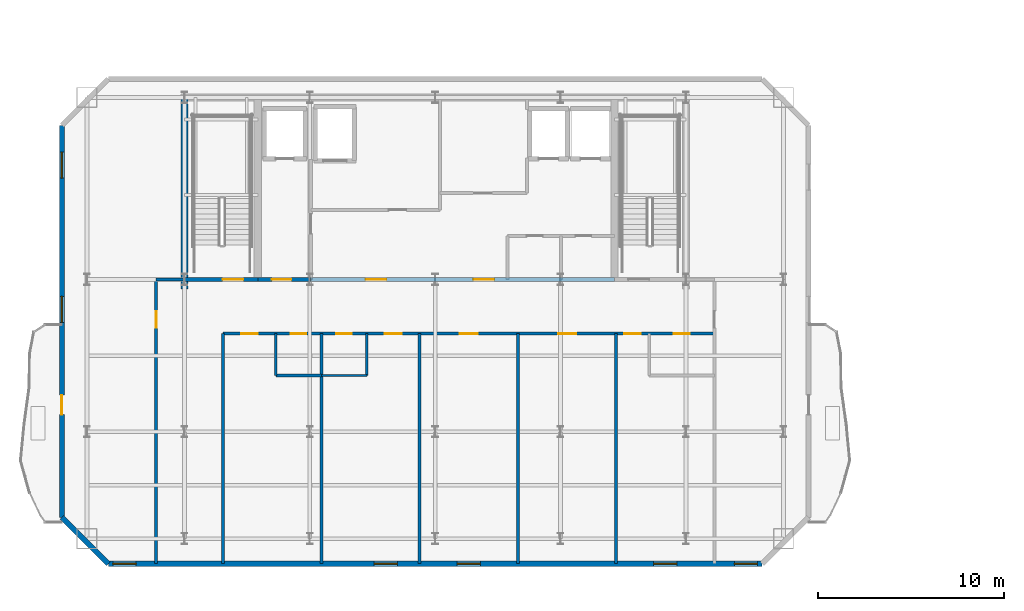
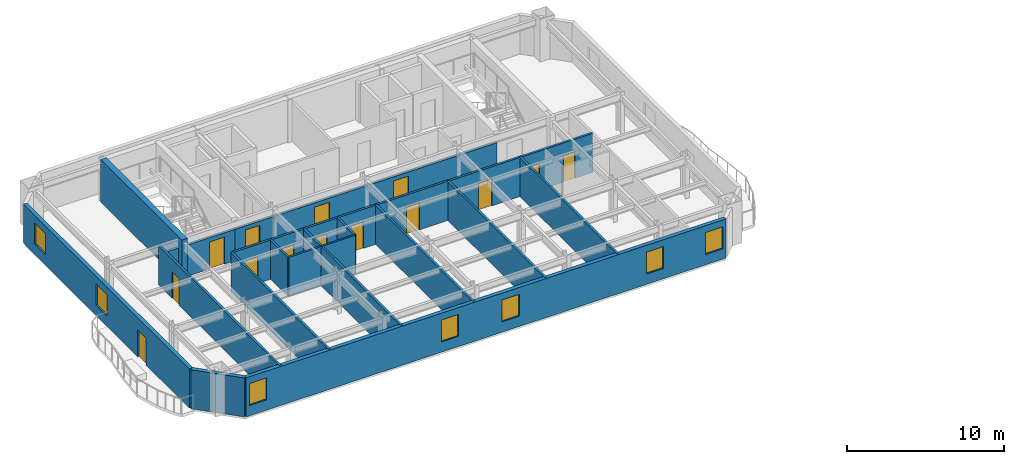
# One storey, part 6 of 14: 19 walls, 14 doors, 7 windows, 21 openings.
"""IFC4 building model written with IfcOpenShell, lengths in metres."""

from ifc_helpers import new_model, si_unit, direction, frame, frame_2d, origin, place, context, subcontext, project, spatial, rectangle, extrude, material, layer, layer_set, type_object, element, fill, save


model = new_model("IFC4")

# Units and contexts
model_context = context("Model", 3, precision=1e-05, world=origin(), true_north=direction((0.0, 1.0)))
body_context = subcontext(model_context, "Body", "Model", "MODEL_VIEW")
ifc_project = project(units=[si_unit("LENGTHUNIT", "METRE"), si_unit("AREAUNIT", "SQUARE_METRE"), si_unit("VOLUMEUNIT", "CUBIC_METRE"), si_unit("PLANEANGLEUNIT", "RADIAN"), si_unit("MASSUNIT", "GRAM", prefix="KILO")], contexts=[model_context])

# Site, building, storey
site_placement = place(None, origin())
site = spatial("IfcSite", under=ifc_project, at=site_placement, CompositionType="ELEMENT")
building_placement = place(site_placement, origin())
building = spatial("IfcBuilding", under=site, at=building_placement, Name="Haevon Station Towers", CompositionType="ELEMENT")
storey_placement = place(building_placement, frame((0.0, 0.0, 231.89990234375)))
storey = spatial("IfcBuildingStorey", under=building, at=storey_placement, Name="L64", CompositionType="ELEMENT", Elevation=231.89990234375)

# Wall, opening, door
ifc_material_1 = material(Name="Gypsum board on steel stud", Category="steel")
ifc_layer_1 = layer(ifc_material_1, 0.199951171875)
ifc_layer_set_1 = layer_set([ifc_layer_1], Name="Gypsum board on steel stud")
wall_type_1 = type_object("IfcWallType", Name="WL-COR200", PredefinedType="PARTITIONING", material=ifc_layer_set_1)
wall_1_placement = place(storey_placement, frame((24.0, 38.199951171875, 0.0), z_axis=(0.0, 0.0, 1.0), x_axis=(1.0, 0.0, 0.0)))
wall_1 = element("IfcWall", 1, at=wall_1_placement, inside=storey, type_object=wall_type_1, Name="WL-ST-ST1-L64", PredefinedType="PARTITIONING", context=body_context, shape_type="SweptSolid", body=[
    extrude(rectangle(XDim=3.949951171875, YDim=0.199951171875, at=frame_2d((1.97509765625, 0.0))), origin(), (0.0, 0.0, 1.0), 2.43017578125),
])
opening_1_placement = place(wall_1_placement, frame((2.050048828125, 0.0, 0.0)))
opening_1 = element("IfcOpeningElement", 2, at=opening_1_placement, cuts=wall_1, Name="Opening DR-ST-ST1-L64", PredefinedType="OPENING", context=body_context, shape_type="SweptSolid", body=[
    extrude(rectangle(XDim=1.1201171875, YDim=2.10009765625, at=frame_2d((0.56005859375, 1.050048828125))), frame((0.0, 0.10986328125, 0.0), z_axis=(0.0, -1.0, 0.0), x_axis=(1.0, 0.0, 0.0)), (0.0, 0.0, 1.0), 0.219970703125),
])
ifc_material_2 = material(Name="Engineered oak timber", Category="wood")
door_type_1 = type_object("IfcDoorType", Name="DR-ST-1120", OperationType="NOTDEFINED", PredefinedType="DOOR", material=ifc_material_2)
door_1_placement = place(opening_1_placement, origin())
door_1 = element("IfcDoor", 3, at=door_1_placement, inside=storey, type_object=door_type_1, Name="L64 Escape Stair ST1 Fire Door", OperationType="SINGLE_SWING_RIGHT", OverallHeight=2.10009765625, OverallWidth=1.1201171875, PredefinedType="DOOR", context=body_context, shape_type="SweptSolid", body=[
    extrude(rectangle(XDim=1.1201171875, YDim=2.10009765625, at=frame_2d((0.56005859375, 1.050048828125))), frame((0.0, 0.02490234375, 0.0), z_axis=(0.0, -1.0, 0.0), x_axis=(1.0, 0.0, 0.0)), (0.0, 0.0, 1.0), 0.050048828125),
])
fill(opening_1, door_1)

wall_2_placement = place(storey_placement, frame((27.949951171875, 38.199951171875, 0.0), z_axis=(0.0, 0.0, 1.0), x_axis=(1.0, 0.0, 0.0)))
wall_2 = element("IfcWall", 4, at=wall_2_placement, inside=storey, type_object=wall_type_1, Name="WL-T1FFL-L64-S", PredefinedType="PARTITIONING", context=body_context, shape_type="SweptSolid", body=[
    extrude(rectangle(XDim=2.85009765625, YDim=0.199951171875, at=frame_2d((1.425048828125, 0.0))), origin(), (0.0, 0.0, 1.0), 2.43017578125),
])
opening_2_placement = place(wall_2_placement, frame((0.75, 0.0, 0.0)))
opening_2 = element("IfcOpeningElement", 5, at=opening_2_placement, cuts=wall_2, Name="Opening DR-T1FFL-L64-S", PredefinedType="OPENING", context=body_context, shape_type="SweptSolid", body=[
    extrude(rectangle(XDim=1.050048828125, YDim=2.10009765625, at=frame_2d((0.52490234375, 1.050048828125))), frame((0.0, 0.10986328125, 0.0), z_axis=(0.0, -1.0, 0.0), x_axis=(1.0, 0.0, 0.0)), (0.0, 0.0, 1.0), 0.219970703125),
])
door_type_2 = type_object("IfcDoorType", Name="DR-FD60-1050", OperationType="NOTDEFINED", PredefinedType="DOOR", material=ifc_material_2)
door_2_placement = place(opening_2_placement, origin())
door_2 = element("IfcDoor", 6, at=door_2_placement, inside=storey, type_object=door_type_2, Name="L64 Tower 1 Firefighting Lift Lobby Door S", OperationType="SINGLE_SWING_LEFT", OverallHeight=2.10009765625, OverallWidth=1.050048828125, PredefinedType="DOOR", context=body_context, shape_type="SweptSolid", body=[
    extrude(rectangle(XDim=1.050048828125, YDim=2.10009765625, at=frame_2d((0.52490234375, 1.050048828125))), frame((0.0, 0.02490234375, 0.0), z_axis=(0.0, -1.0, 0.0), x_axis=(1.0, 0.0, 0.0)), (0.0, 0.0, 1.0), 0.050048828125),
])
fill(opening_2, door_2)

# Wall, openings, doors
wall_3_placement = place(storey_placement, frame((30.800048828125, 38.199951171875, 0.0), z_axis=(0.0, 0.0, 1.0), x_axis=(1.0, 0.0, 0.0)))
wall_3 = element("IfcWall", 7, at=wall_3_placement, inside=storey, type_object=wall_type_1, Name="WL-T1CLB-L64", PredefinedType="PARTITIONING", context=body_context, shape_type="SweptSolid", body=[
    extrude(rectangle(XDim=16.349853515625, YDim=0.199951171875, at=frame_2d((8.1748046875, 0.0))), origin(), (0.0, 0.0, 1.0), 2.43017578125),
])
opening_3_placement = place(wall_3_placement, frame((2.949951171875, 0.0, 0.0)))
opening_3 = element("IfcOpeningElement", 8, at=opening_3_placement, cuts=wall_3, Name="Opening DR-T1CLB-L64-1", PredefinedType="OPENING", context=body_context, shape_type="SweptSolid", body=[
    extrude(rectangle(XDim=1.1201171875, YDim=2.10009765625, at=frame_2d((0.56005859375, 1.050048828125))), frame((0.0, 0.10986328125, 0.0), z_axis=(0.0, -1.0, 0.0), x_axis=(1.0, 0.0, 0.0)), (0.0, 0.0, 1.0), 0.219970703125),
])
opening_4_placement = place(wall_3_placement, frame((8.75, 0.0, 0.0)))
opening_4 = element("IfcOpeningElement", 9, at=opening_4_placement, cuts=wall_3, Name="Opening DR-T1CLB-L64-2", PredefinedType="OPENING", context=body_context, shape_type="SweptSolid", body=[
    extrude(rectangle(XDim=1.1201171875, YDim=2.10009765625, at=frame_2d((0.56005859375, 1.050048828125))), frame((0.0, 0.10986328125, 0.0), z_axis=(0.0, -1.0, 0.0), x_axis=(1.0, 0.0, 0.0)), (0.0, 0.0, 1.0), 0.219970703125),
])
door_3_placement = place(opening_3_placement, origin())
door_3 = element("IfcDoor", 10, at=door_3_placement, inside=storey, type_object=door_type_1, Name="L64 Tower 1 Core Lift Lobby Door 1", OperationType="SINGLE_SWING_RIGHT", OverallHeight=2.10009765625, OverallWidth=1.1201171875, PredefinedType="DOOR", context=body_context, shape_type="SweptSolid", body=[
    extrude(rectangle(XDim=1.1201171875, YDim=2.10009765625, at=frame_2d((0.56005859375, 1.050048828125))), frame((0.0, 0.02490234375, 0.0), z_axis=(0.0, -1.0, 0.0), x_axis=(1.0, 0.0, 0.0)), (0.0, 0.0, 1.0), 0.050048828125),
])
fill(opening_3, door_3)
door_4_placement = place(opening_4_placement, origin())
door_4 = element("IfcDoor", 11, at=door_4_placement, inside=storey, type_object=door_type_1, Name="L64 Tower 1 Core Lift Lobby Door 2", OperationType="SINGLE_SWING_LEFT", OverallHeight=2.10009765625, OverallWidth=1.1201171875, PredefinedType="DOOR", context=body_context, shape_type="SweptSolid", body=[
    extrude(rectangle(XDim=1.1201171875, YDim=2.10009765625, at=frame_2d((0.56005859375, 1.050048828125))), frame((0.0, 0.02490234375, 0.0), z_axis=(0.0, -1.0, 0.0), x_axis=(1.0, 0.0, 0.0)), (0.0, 0.0, 1.0), 0.050048828125),
])
fill(opening_4, door_4)

# Wall
ifc_material_3 = material(Name="Concrete C60/75", Category="concrete")
ifc_layer_2 = layer(ifc_material_3, 0.39990234375)
ifc_layer_set_2 = layer_set([ifc_layer_2], Name="Concrete C60/75")
wall_type_2 = type_object("IfcWallType", Name="WL-CR400", PredefinedType="SHEAR", material=ifc_layer_set_2)
wall_4_placement = place(storey_placement, frame((24.0, 37.679931640625, 0.0), z_axis=(0.0, 0.0, 1.0), x_axis=(0.0, 1.0, 0.0)))
element("IfcWall", 12, at=wall_4_placement, inside=storey, type_object=wall_type_2, Name="WL-T1CR-L64-W", PredefinedType="SHEAR", context=body_context, shape_type="SweptSolid", body=[
    extrude(rectangle(XDim=10.320068359375, YDim=0.39990234375, at=frame_2d((5.16015625, 0.0))), origin(), (0.0, 0.0, 1.0), 3.300048828125),
])

# Wall, openings, windows
ifc_material_4 = material(Name="Precast concrete C45/55", Category="concrete")
ifc_layer_3 = layer(ifc_material_4, 0.280029296875)
ifc_layer_set_3 = layer_set([ifc_layer_3], Name="Precast concrete C45/55")
wall_type_3 = type_object("IfcWallType", Name="WL-EXT-PIER280", PredefinedType="SOLIDWALL", material=ifc_layer_set_3)
wall_5_placement = place(storey_placement, frame((55.10009765625, 22.89990234375, 0.0), z_axis=(0.0, 0.0, 1.0), x_axis=(-1.0, 0.0, 0.0)))
wall_5 = element("IfcWall", 13, at=wall_5_placement, inside=storey, type_object=wall_type_3, Name="WL-T1-L64-S", PredefinedType="SOLIDWALL", context=body_context, shape_type="SweptSolid", body=[
    extrude(rectangle(XDim=35.2001953125, YDim=0.280029296875, at=frame_2d((17.60009765625, 0.0))), origin(), (0.0, 0.0, 1.0), 3.030029296875),
])
opening_5_placement = place(wall_5_placement, frame((33.699951171875, 0.0, 0.800048828125)))
opening_5 = element("IfcOpeningElement", 14, at=opening_5_placement, cuts=wall_5, Name="Opening WN-P125", PredefinedType="OPENING", context=body_context, shape_type="SweptSolid", body=[
    extrude(rectangle(XDim=1.25, YDim=1.699951171875, at=frame_2d((0.625, 0.85009765625))), frame((0.0, 0.14990234375, 0.0), z_axis=(0.0, -1.0, 0.0), x_axis=(1.0, 0.0, 0.0)), (0.0, 0.0, 1.0), 0.300048828125),
])
opening_6_placement = place(wall_5_placement, frame((0.25, 0.0, 0.800048828125)))
opening_6 = element("IfcOpeningElement", 15, at=opening_6_placement, cuts=wall_5, Name="Opening WN-P125", PredefinedType="OPENING", context=body_context, shape_type="SweptSolid", body=[
    extrude(rectangle(XDim=1.25, YDim=1.699951171875, at=frame_2d((0.625, 0.85009765625))), frame((0.0, 0.14990234375, 0.0), z_axis=(0.0, -1.0, 0.0), x_axis=(1.0, 0.0, 0.0)), (0.0, 0.0, 1.0), 0.300048828125),
])
opening_7_placement = place(wall_5_placement, frame((19.6416015625, 0.0, 0.800048828125)))
opening_7 = element("IfcOpeningElement", 16, at=opening_7_placement, cuts=wall_5, Name="Opening WN-P125", PredefinedType="OPENING", context=body_context, shape_type="SweptSolid", body=[
    extrude(rectangle(XDim=1.25, YDim=1.699951171875, at=frame_2d((0.625, 0.85009765625))), frame((0.0, 0.14990234375, 0.0), z_axis=(0.0, -1.0, 0.0), x_axis=(1.0, 0.0, 0.0)), (0.0, 0.0, 1.0), 0.300048828125),
])
opening_8_placement = place(wall_5_placement, frame((15.172607421875, 0.0, 0.800048828125)))
opening_8 = element("IfcOpeningElement", 17, at=opening_8_placement, cuts=wall_5, Name="Opening WN-P125", PredefinedType="OPENING", context=body_context, shape_type="SweptSolid", body=[
    extrude(rectangle(XDim=1.25, YDim=1.699951171875, at=frame_2d((0.625, 0.85009765625))), frame((0.0, 0.14990234375, 0.0), z_axis=(0.0, -1.0, 0.0), x_axis=(1.0, 0.0, 0.0)), (0.0, 0.0, 1.0), 0.300048828125),
])
opening_9_placement = place(wall_5_placement, frame((4.594482421875, 0.0, 0.800048828125)))
opening_9 = element("IfcOpeningElement", 18, at=opening_9_placement, cuts=wall_5, Name="Opening WN-P125", PredefinedType="OPENING", context=body_context, shape_type="SweptSolid", body=[
    extrude(rectangle(XDim=1.25, YDim=1.699951171875, at=frame_2d((0.625, 0.85009765625))), frame((0.0, 0.14990234375, 0.0), z_axis=(0.0, -1.0, 0.0), x_axis=(1.0, 0.0, 0.0)), (0.0, 0.0, 1.0), 0.300048828125),
])
ifc_material_5 = material(Name="Low-E triple glazing in thermally broken aluminium", Category="aluminium")
window_type_1 = type_object("IfcWindowType", Name="WN-P125", PartitioningType="SINGLE_PANEL", PredefinedType="WINDOW", material=ifc_material_5)
window_1_placement = place(opening_5_placement, origin())
window_1 = element("IfcWindow", 19, at=window_1_placement, inside=storey, type_object=window_type_1, Name="WN-T1-L64-S01", OverallHeight=1.699951171875, OverallWidth=1.25, PartitioningType="SINGLE_PANEL", PredefinedType="WINDOW", context=body_context, shape_type="SweptSolid", body=[
    extrude(rectangle(XDim=1.25, YDim=1.699951171875, at=frame_2d((0.625, 0.85009765625))), frame((0.0, 0.030029296875, 0.0), z_axis=(0.0, -1.0, 0.0), x_axis=(1.0, 0.0, 0.0)), (0.0, 0.0, 1.0), 0.06005859375),
])
fill(opening_5, window_1)
window_2_placement = place(opening_6_placement, origin())
window_2 = element("IfcWindow", 20, at=window_2_placement, inside=storey, type_object=window_type_1, Name="WN-T1-L64-S02", OverallHeight=1.699951171875, OverallWidth=1.25, PartitioningType="SINGLE_PANEL", PredefinedType="WINDOW", context=body_context, shape_type="SweptSolid", body=[
    extrude(rectangle(XDim=1.25, YDim=1.699951171875, at=frame_2d((0.625, 0.85009765625))), frame((0.0, 0.030029296875, 0.0), z_axis=(0.0, -1.0, 0.0), x_axis=(1.0, 0.0, 0.0)), (0.0, 0.0, 1.0), 0.06005859375),
])
fill(opening_6, window_2)
window_3_placement = place(opening_7_placement, origin())
window_3 = element("IfcWindow", 21, at=window_3_placement, inside=storey, type_object=window_type_1, Name="WN-T1-L64-S03", OverallHeight=1.699951171875, OverallWidth=1.25, PartitioningType="SINGLE_PANEL", PredefinedType="WINDOW", context=body_context, shape_type="SweptSolid", body=[
    extrude(rectangle(XDim=1.25, YDim=1.699951171875, at=frame_2d((0.625, 0.85009765625))), frame((0.0, 0.030029296875, 0.0), z_axis=(0.0, -1.0, 0.0), x_axis=(1.0, 0.0, 0.0)), (0.0, 0.0, 1.0), 0.06005859375),
])
fill(opening_7, window_3)
window_4_placement = place(opening_8_placement, origin())
window_4 = element("IfcWindow", 22, at=window_4_placement, inside=storey, type_object=window_type_1, Name="WN-T1-L64-S04", OverallHeight=1.699951171875, OverallWidth=1.25, PartitioningType="SINGLE_PANEL", PredefinedType="WINDOW", context=body_context, shape_type="SweptSolid", body=[
    extrude(rectangle(XDim=1.25, YDim=1.699951171875, at=frame_2d((0.625, 0.85009765625))), frame((0.0, 0.030029296875, 0.0), z_axis=(0.0, -1.0, 0.0), x_axis=(1.0, 0.0, 0.0)), (0.0, 0.0, 1.0), 0.06005859375),
])
fill(opening_8, window_4)
window_5_placement = place(opening_9_placement, origin())
window_5 = element("IfcWindow", 23, at=window_5_placement, inside=storey, type_object=window_type_1, Name="WN-T1-L64-S05", OverallHeight=1.699951171875, OverallWidth=1.25, PartitioningType="SINGLE_PANEL", PredefinedType="WINDOW", context=body_context, shape_type="SweptSolid", body=[
    extrude(rectangle(XDim=1.25, YDim=1.699951171875, at=frame_2d((0.625, 0.85009765625))), frame((0.0, 0.030029296875, 0.0), z_axis=(0.0, -1.0, 0.0), x_axis=(1.0, 0.0, 0.0)), (0.0, 0.0, 1.0), 0.06005859375),
])
fill(opening_9, window_5)

# Wall
wall_6_placement = place(storey_placement, frame((19.89990234375, 22.89990234375, 0.0), z_axis=(0.0, 0.0, 1.0), x_axis=(-0.707106781187, 0.707106781187, 0.0)))
element("IfcWall", 24, at=wall_6_placement, inside=storey, type_object=wall_type_3, Name="WL-T1-L64-SWC", PredefinedType="SOLIDWALL", context=body_context, shape_type="SweptSolid", body=[
    extrude(rectangle(XDim=3.53564453125, YDim=0.280029296875, at=frame_2d((1.767822265625, 0.0))), origin(), (0.0, 0.0, 1.0), 3.030029296875),
])

# Wall, openings, door, windows
wall_7_placement = place(storey_placement, frame((17.39990234375, 25.39990234375, 0.0), z_axis=(0.0, 0.0, 1.0), x_axis=(0.0, 1.0, 0.0)))
wall_7 = element("IfcWall", 25, at=wall_7_placement, inside=storey, type_object=wall_type_3, Name="WL-T1-L64-W", PredefinedType="SOLIDWALL", context=body_context, shape_type="SweptSolid", body=[
    extrude(rectangle(XDim=21.10009765625, YDim=0.280029296875, at=frame_2d((10.550048828125, 0.0))), origin(), (0.0, 0.0, 1.0), 3.030029296875),
])
opening_10_placement = place(wall_7_placement, frame((5.52490234375, 0.0, 0.0)))
opening_10 = element("IfcOpeningElement", 26, at=opening_10_placement, cuts=wall_7, Name="Opening DR-T1-SCAL-L64-W", PredefinedType="OPENING", context=body_context, shape_type="SweptSolid", body=[
    extrude(rectangle(XDim=1.050048828125, YDim=2.10009765625, at=frame_2d((0.52490234375, 1.050048828125))), frame((0.0, 0.14990234375, 0.0), z_axis=(0.0, -1.0, 0.0), x_axis=(1.0, 0.0, 0.0)), (0.0, 0.0, 1.0), 0.300048828125),
])
opening_11_placement = place(wall_7_placement, frame((10.496337890625, 0.0, 0.800048828125)))
opening_11 = element("IfcOpeningElement", 27, at=opening_11_placement, cuts=wall_7, Name="Opening WN-END140", PredefinedType="OPENING", context=body_context, shape_type="SweptSolid", body=[
    extrude(rectangle(XDim=1.39990234375, YDim=1.64990234375, at=frame_2d((0.699951171875, 0.824951171875))), frame((0.0, 0.14990234375, 0.0), z_axis=(0.0, -1.0, 0.0), x_axis=(1.0, 0.0, 0.0)), (0.0, 0.0, 1.0), 0.300048828125),
])
opening_12_placement = place(wall_7_placement, frame((18.253662109375, 0.0, 0.800048828125)))
opening_12 = element("IfcOpeningElement", 28, at=opening_12_placement, cuts=wall_7, Name="Opening WN-END140", PredefinedType="OPENING", context=body_context, shape_type="SweptSolid", body=[
    extrude(rectangle(XDim=1.39990234375, YDim=1.64990234375, at=frame_2d((0.699951171875, 0.824951171875))), frame((0.0, 0.14990234375, 0.0), z_axis=(0.0, -1.0, 0.0), x_axis=(1.0, 0.0, 0.0)), (0.0, 0.0, 1.0), 0.300048828125),
])
ifc_material_6 = material(Name="Thermally broken anodised aluminium and laminated safety glass", Category="aluminium")
door_type_3 = type_object("IfcDoorType", Name="DR-BALC-1050", OperationType="NOTDEFINED", PredefinedType="DOOR", material=ifc_material_6)
door_5_placement = place(opening_10_placement, origin())
door_5 = element("IfcDoor", 29, at=door_5_placement, inside=storey, type_object=door_type_3, Name="Tower 1 L64 West Scalloped Balcony Door", OperationType="SINGLE_SWING_RIGHT", OverallHeight=2.10009765625, OverallWidth=1.050048828125, PredefinedType="DOOR", context=body_context, shape_type="SweptSolid", body=[
    extrude(rectangle(XDim=1.050048828125, YDim=2.10009765625, at=frame_2d((0.52490234375, 1.050048828125))), frame((0.0, 0.02490234375, 0.0), z_axis=(0.0, -1.0, 0.0), x_axis=(1.0, 0.0, 0.0)), (0.0, 0.0, 1.0), 0.050048828125),
])
fill(opening_10, door_5)
window_type_2 = type_object("IfcWindowType", Name="WN-END140", PartitioningType="SINGLE_PANEL", PredefinedType="WINDOW", material=ifc_material_5)
window_6_placement = place(opening_11_placement, origin())
window_6 = element("IfcWindow", 30, at=window_6_placement, inside=storey, type_object=window_type_2, Name="WN-T1-L64-W01", OverallHeight=1.64990234375, OverallWidth=1.39990234375, PartitioningType="SINGLE_PANEL", PredefinedType="WINDOW", context=body_context, shape_type="SweptSolid", body=[
    extrude(rectangle(XDim=1.39990234375, YDim=1.64990234375, at=frame_2d((0.699951171875, 0.824951171875))), frame((0.0, 0.030029296875, 0.0), z_axis=(0.0, -1.0, 0.0), x_axis=(1.0, 0.0, 0.0)), (0.0, 0.0, 1.0), 0.06005859375),
])
fill(opening_11, window_6)
window_7_placement = place(opening_12_placement, origin())
window_7 = element("IfcWindow", 31, at=window_7_placement, inside=storey, type_object=window_type_2, Name="WN-T1-L64-W02", OverallHeight=1.64990234375, OverallWidth=1.39990234375, PartitioningType="SINGLE_PANEL", PredefinedType="WINDOW", context=body_context, shape_type="SweptSolid", body=[
    extrude(rectangle(XDim=1.39990234375, YDim=1.64990234375, at=frame_2d((0.699951171875, 0.824951171875))), frame((0.0, 0.030029296875, 0.0), z_axis=(0.0, -1.0, 0.0), x_axis=(1.0, 0.0, 0.0)), (0.0, 0.0, 1.0), 0.06005859375),
])
fill(opening_12, window_7)

# Walls
ifc_layer_4 = layer(ifc_material_1, 0.125)
ifc_layer_set_4 = layer_set([ifc_layer_4], Name="Gypsum board on steel stud")
wall_type_4 = type_object("IfcWallType", Name="WL-PRT125", PredefinedType="PARTITIONING", material=ifc_layer_set_4)
wall_8_placement = place(storey_placement, frame((28.9189453125, 33.030029296875, 0.0), z_axis=(0.0, 0.0, 1.0), x_axis=(0.0, 1.0, 0.0)))
element("IfcWall", 32, at=wall_8_placement, inside=storey, type_object=wall_type_4, Name="WL-T1PT-L64-07", PredefinedType="PARTITIONING", context=body_context, shape_type="SweptSolid", body=[
    extrude(rectangle(XDim=2.25, YDim=0.125, at=frame_2d((1.125, 0.0))), origin(), (0.0, 0.0, 1.0), 3.030029296875),
])
wall_9_placement = place(storey_placement, frame((31.368896484375, 33.030029296875, 0.0), z_axis=(0.0, 0.0, 1.0), x_axis=(1.0, 0.0, 0.0)))
element("IfcWall", 33, at=wall_9_placement, inside=storey, type_object=wall_type_4, Name="WL-T1PT-L64-09", PredefinedType="PARTITIONING", context=body_context, shape_type="SweptSolid", body=[
    extrude(rectangle(XDim=2.4501953125, YDim=0.125, at=frame_2d((1.22509765625, 0.0))), origin(), (0.0, 0.0, 1.0), 3.030029296875),
])
ifc_layer_5 = layer(ifc_material_1, 0.139892578125)
ifc_layer_set_5 = layer_set([ifc_layer_5], Name="Gypsum board on steel stud")
wall_type_5 = type_object("IfcWallType", Name="WL-PRT140", PredefinedType="PARTITIONING", material=ifc_layer_set_5)
wall_10_placement = place(storey_placement, frame((28.9189453125, 33.030029296875, 0.0), z_axis=(0.0, 0.0, 1.0), x_axis=(1.0, 0.0, 0.0)))
element("IfcWall", 34, at=wall_10_placement, inside=storey, type_object=wall_type_5, Name="WL-T1PT-L64-06", PredefinedType="PARTITIONING", context=body_context, shape_type="SweptSolid", body=[
    extrude(rectangle(XDim=2.449951171875, YDim=0.139892578125, at=frame_2d((1.22509765625, 0.0))), origin(), (0.0, 0.0, 1.0), 3.030029296875),
])
wall_11_placement = place(storey_placement, frame((33.819091796875, 33.030029296875, 0.0), z_axis=(0.0, 0.0, 1.0), x_axis=(0.0, 1.0, 0.0)))
element("IfcWall", 35, at=wall_11_placement, inside=storey, type_object=wall_type_5, Name="WL-T1PT-L64-10", PredefinedType="PARTITIONING", context=body_context, shape_type="SweptSolid", body=[
    extrude(rectangle(XDim=2.25, YDim=0.139892578125, at=frame_2d((1.125, 0.0))), origin(), (0.0, 0.0, 1.0), 3.030029296875),
])
ifc_layer_6 = layer(ifc_material_1, 0.159912109375)
ifc_layer_set_6 = layer_set([ifc_layer_6], Name="Gypsum board on steel stud")
wall_type_6 = type_object("IfcWallType", Name="WL-PRT160", PredefinedType="PARTITIONING", material=ifc_layer_set_6)
wall_12_placement = place(storey_placement, frame((26.080078125, 22.89990234375, 0.0), z_axis=(0.0, 0.0, 1.0), x_axis=(0.0, 1.0, 0.0)))
element("IfcWall", 36, at=wall_12_placement, inside=storey, type_object=wall_type_6, Name="WL-T1PT-L64-01", PredefinedType="PARTITIONING", context=body_context, shape_type="SweptSolid", body=[
    extrude(rectangle(XDim=12.380126953125, YDim=0.159912109375, at=frame_2d((6.18994140625, 0.0))), origin(), (0.0, 0.0, 1.0), 3.030029296875),
])
wall_13_placement = place(storey_placement, frame((22.47509765625, 38.199951171875, 0.0), z_axis=(0.0, 0.0, 1.0), x_axis=(1.0, 0.0, 0.0)))
element("IfcWall", 37, at=wall_13_placement, inside=storey, type_object=wall_type_6, Name="WL-T1PT-L64-02", PredefinedType="PARTITIONING", context=body_context, shape_type="SweptSolid", body=[
    extrude(rectangle(XDim=1.52490234375, YDim=0.159912109375, at=frame_2d((0.762451171875, 0.0))), origin(), (0.0, 0.0, 1.0), 2.43017578125),
])

# Wall, opening, door
wall_14_placement = place(storey_placement, frame((22.47509765625, 22.89990234375, 0.0), z_axis=(0.0, 0.0, 1.0), x_axis=(0.0, 1.0, 0.0)))
wall_14 = element("IfcWall", 38, at=wall_14_placement, inside=storey, type_object=wall_type_6, Name="WL-T1PT-L64-04", PredefinedType="PARTITIONING", context=body_context, shape_type="SweptSolid", body=[
    extrude(rectangle(XDim=15.300048828125, YDim=0.159912109375, at=frame_2d((7.64990234375, 0.0))), origin(), (0.0, 0.0, 1.0), 3.030029296875),
])
opening_13_placement = place(wall_14_placement, frame((12.699951171875, 0.0, 0.0)))
opening_13 = element("IfcOpeningElement", 39, at=opening_13_placement, cuts=wall_14, Name="Opening DR-WL-T1PT-L64-04-01", PredefinedType="OPENING", context=body_context, shape_type="SweptSolid", body=[
    extrude(rectangle(XDim=0.89990234375, YDim=2.050048828125, at=frame_2d((0.449951171875, 1.02490234375))), frame((0.0, 0.08984375, 0.0), z_axis=(0.0, -1.0, 0.0), x_axis=(1.0, 0.0, 0.0)), (0.0, 0.0, 1.0), 0.179931640625),
])
door_type_4 = type_object("IfcDoorType", Name="DR-INT-900", OperationType="NOTDEFINED", PredefinedType="DOOR", material=ifc_material_2)
door_6_placement = place(opening_13_placement, origin())
door_6 = element("IfcDoor", 40, at=door_6_placement, inside=storey, type_object=door_type_4, Name="L64 Tower 1 Room Door 4-1", OperationType="SINGLE_SWING_RIGHT", OverallHeight=2.050048828125, OverallWidth=0.89990234375, PredefinedType="DOOR", context=body_context, shape_type="SweptSolid", body=[
    extrude(rectangle(XDim=0.89990234375, YDim=2.050048828125, at=frame_2d((0.449951171875, 1.02490234375))), frame((0.0, 0.02490234375, 0.0), z_axis=(0.0, -1.0, 0.0), x_axis=(1.0, 0.0, 0.0)), (0.0, 0.0, 1.0), 0.050048828125),
])
fill(opening_13, door_6)

# Walls
for number, where, z_axis, x_axis, name in (
    (41, (31.368896484375, 22.89990234375, 0.0), (0.0, 0.0, 1.0), (0.0, 1.0, 0.0), "WL-T1PT-L64-08"),
    (42, (36.657958984375, 22.89990234375, 0.0), (0.0, 0.0, 1.0), (0.0, 1.0, 0.0), "WL-T1PT-L64-11"),
    (43, (41.947021484375, 22.89990234375, 0.0), (0.0, 0.0, 1.0), (0.0, 1.0, 0.0), "WL-T1PT-L64-12"),
    (44, (47.236083984375, 22.89990234375, 0.0), (0.0, 0.0, 1.0), (0.0, 1.0, 0.0), "WL-T1PT-L64-13"),
):
    element("IfcWall", number, at=place(storey_placement, frame(where, z_axis=z_axis, x_axis=x_axis)), inside=storey, type_object=wall_type_6, Name=name, PredefinedType="PARTITIONING", context=body_context, shape_type="SweptSolid", body=[
        extrude(rectangle(XDim=12.380126953125, YDim=0.159912109375, at=frame_2d((6.18994140625, 0.0))), origin(), (0.0, 0.0, 1.0), 3.030029296875),
    ])

# Wall, openings, doors
wall_15_placement = place(storey_placement, frame((26.080078125, 35.280029296875, 0.0), z_axis=(0.0, 0.0, 1.0), x_axis=(1.0, 0.0, 0.0)))
wall_15 = element("IfcWall", 45, at=wall_15_placement, inside=storey, type_object=wall_type_6, Name="WL-T1PT-L64-16", PredefinedType="PARTITIONING", context=body_context, shape_type="SweptSolid", body=[
    extrude(rectangle(XDim=26.44482421875, YDim=0.159912109375, at=frame_2d((13.222412109375, 0.0))), origin(), (0.0, 0.0, 1.0), 3.030029296875),
])
opening_14_placement = place(wall_15_placement, frame((3.638916015625, 0.0, 0.0)))
opening_14 = element("IfcOpeningElement", 46, at=opening_14_placement, cuts=wall_15, Name="Opening DR-WL-T1PT-L64-16-01", PredefinedType="OPENING", context=body_context, shape_type="SweptSolid", body=[
    extrude(rectangle(XDim=0.85009765625, YDim=2.050048828125, at=frame_2d((0.425048828125, 1.02490234375))), frame((0.0, 0.08984375, 0.0), z_axis=(0.0, -1.0, 0.0), x_axis=(1.0, 0.0, 0.0)), (0.0, 0.0, 1.0), 0.179931640625),
])
opening_15_placement = place(wall_15_placement, frame((0.968994140625, 0.0, 0.0)))
opening_15 = element("IfcOpeningElement", 47, at=opening_15_placement, cuts=wall_15, Name="Opening DR-WL-T1PT-L64-16-02", PredefinedType="OPENING", context=body_context, shape_type="SweptSolid", body=[
    extrude(rectangle(XDim=0.89990234375, YDim=2.050048828125, at=frame_2d((0.449951171875, 1.02490234375))), frame((0.0, 0.08984375, 0.0), z_axis=(0.0, -1.0, 0.0), x_axis=(1.0, 0.0, 0.0)), (0.0, 0.0, 1.0), 0.179931640625),
])
opening_16_placement = place(wall_15_placement, frame((6.089111328125, 0.0, 0.0)))
opening_16 = element("IfcOpeningElement", 48, at=opening_16_placement, cuts=wall_15, Name="Opening DR-WL-T1PT-L64-16-03", PredefinedType="OPENING", context=body_context, shape_type="SweptSolid", body=[
    extrude(rectangle(XDim=0.85009765625, YDim=2.050048828125, at=frame_2d((0.425048828125, 1.02490234375))), frame((0.0, 0.08984375, 0.0), z_axis=(0.0, -1.0, 0.0), x_axis=(1.0, 0.0, 0.0)), (0.0, 0.0, 1.0), 0.179931640625),
])
opening_17_placement = place(wall_15_placement, frame((8.708984375, 0.0, 0.0)))
opening_17 = element("IfcOpeningElement", 49, at=opening_17_placement, cuts=wall_15, Name="Opening DR-WL-T1PT-L64-16-04", PredefinedType="OPENING", context=body_context, shape_type="SweptSolid", body=[
    extrude(rectangle(XDim=0.89990234375, YDim=2.050048828125, at=frame_2d((0.449951171875, 1.02490234375))), frame((0.0, 0.08984375, 0.0), z_axis=(0.0, -1.0, 0.0), x_axis=(1.0, 0.0, 0.0)), (0.0, 0.0, 1.0), 0.179931640625),
])
opening_18_placement = place(wall_15_placement, frame((12.748046875, 0.0, 0.0)))
opening_18 = element("IfcOpeningElement", 50, at=opening_18_placement, cuts=wall_15, Name="Opening DR-WL-T1PT-L64-16-05", PredefinedType="OPENING", context=body_context, shape_type="SweptSolid", body=[
    extrude(rectangle(XDim=0.949951171875, YDim=2.10009765625, at=frame_2d((0.47509765625, 1.050048828125))), frame((0.0, 0.08984375, 0.0), z_axis=(0.0, -1.0, 0.0), x_axis=(1.0, 0.0, 0.0)), (0.0, 0.0, 1.0), 0.179931640625),
])
opening_19_placement = place(wall_15_placement, frame((18.035888671875, 0.0, 0.0)))
opening_19 = element("IfcOpeningElement", 51, at=opening_19_placement, cuts=wall_15, Name="Opening DR-WL-T1PT-L64-16-06", PredefinedType="OPENING", context=body_context, shape_type="SweptSolid", body=[
    extrude(rectangle(XDim=0.97998046875, YDim=2.10009765625, at=frame_2d((0.489990234375, 1.050048828125))), frame((0.0, 0.08984375, 0.0), z_axis=(0.0, -1.0, 0.0), x_axis=(1.0, 0.0, 0.0)), (0.0, 0.0, 1.0), 0.179931640625),
])
opening_20_placement = place(wall_15_placement, frame((24.264892578125, 0.0, 0.0)))
opening_20 = element("IfcOpeningElement", 52, at=opening_20_placement, cuts=wall_15, Name="Opening DR-WL-T1PT-L64-16-07", PredefinedType="OPENING", context=body_context, shape_type="SweptSolid", body=[
    extrude(rectangle(XDim=0.85009765625, YDim=2.050048828125, at=frame_2d((0.425048828125, 1.02490234375))), frame((0.0, 0.08984375, 0.0), z_axis=(0.0, -1.0, 0.0), x_axis=(1.0, 0.0, 0.0)), (0.0, 0.0, 1.0), 0.179931640625),
])
opening_21_placement = place(wall_15_placement, frame((21.595947265625, 0.0, 0.0)))
opening_21 = element("IfcOpeningElement", 53, at=opening_21_placement, cuts=wall_15, Name="Opening DR-WL-T1PT-L64-16-08", PredefinedType="OPENING", context=body_context, shape_type="SweptSolid", body=[
    extrude(rectangle(XDim=0.89990234375, YDim=2.050048828125, at=frame_2d((0.449951171875, 1.02490234375))), frame((0.0, 0.08984375, 0.0), z_axis=(0.0, -1.0, 0.0), x_axis=(1.0, 0.0, 0.0)), (0.0, 0.0, 1.0), 0.179931640625),
])
door_type_5 = type_object("IfcDoorType", Name="DR-FD30-850", OperationType="NOTDEFINED", PredefinedType="DOOR", material=ifc_material_2)
door_7_placement = place(opening_14_placement, origin())
door_7 = element("IfcDoor", 54, at=door_7_placement, inside=storey, type_object=door_type_5, Name="L64 Tower 1 Room Door 16-1", OperationType="SINGLE_SWING_RIGHT", OverallHeight=2.050048828125, OverallWidth=0.85009765625, PredefinedType="DOOR", context=body_context, shape_type="SweptSolid", body=[
    extrude(rectangle(XDim=0.85009765625, YDim=2.050048828125, at=frame_2d((0.425048828125, 1.02490234375))), frame((0.0, 0.02490234375, 0.0), z_axis=(0.0, -1.0, 0.0), x_axis=(1.0, 0.0, 0.0)), (0.0, 0.0, 1.0), 0.050048828125),
])
fill(opening_14, door_7)
door_8_placement = place(opening_16_placement, origin())
door_8 = element("IfcDoor", 55, at=door_8_placement, inside=storey, type_object=door_type_5, Name="L64 Tower 1 Room Door 16-3", OperationType="SINGLE_SWING_RIGHT", OverallHeight=2.050048828125, OverallWidth=0.85009765625, PredefinedType="DOOR", context=body_context, shape_type="SweptSolid", body=[
    extrude(rectangle(XDim=0.85009765625, YDim=2.050048828125, at=frame_2d((0.425048828125, 1.02490234375))), frame((0.0, 0.02490234375, 0.0), z_axis=(0.0, -1.0, 0.0), x_axis=(1.0, 0.0, 0.0)), (0.0, 0.0, 1.0), 0.050048828125),
])
fill(opening_16, door_8)
door_9_placement = place(opening_20_placement, origin())
door_9 = element("IfcDoor", 56, at=door_9_placement, inside=storey, type_object=door_type_5, Name="L64 Tower 1 Room Door 16-7", OperationType="SINGLE_SWING_RIGHT", OverallHeight=2.050048828125, OverallWidth=0.85009765625, PredefinedType="DOOR", context=body_context, shape_type="SweptSolid", body=[
    extrude(rectangle(XDim=0.85009765625, YDim=2.050048828125, at=frame_2d((0.425048828125, 1.02490234375))), frame((0.0, 0.02490234375, 0.0), z_axis=(0.0, -1.0, 0.0), x_axis=(1.0, 0.0, 0.0)), (0.0, 0.0, 1.0), 0.050048828125),
])
fill(opening_20, door_9)
door_type_6 = type_object("IfcDoorType", Name="DR-FD30-950", OperationType="NOTDEFINED", PredefinedType="DOOR", material=ifc_material_2)
door_10_placement = place(opening_18_placement, origin())
door_10 = element("IfcDoor", 57, at=door_10_placement, inside=storey, type_object=door_type_6, Name="L64 Tower 1 Room Door 16-5", OperationType="SINGLE_SWING_RIGHT", OverallHeight=2.10009765625, OverallWidth=0.949951171875, PredefinedType="DOOR", context=body_context, shape_type="SweptSolid", body=[
    extrude(rectangle(XDim=0.949951171875, YDim=2.10009765625, at=frame_2d((0.47509765625, 1.050048828125))), frame((0.0, 0.02490234375, 0.0), z_axis=(0.0, -1.0, 0.0), x_axis=(1.0, 0.0, 0.0)), (0.0, 0.0, 1.0), 0.050048828125),
])
fill(opening_18, door_10)
door_type_7 = type_object("IfcDoorType", Name="DR-FD30-980", OperationType="NOTDEFINED", PredefinedType="DOOR", material=ifc_material_2)
door_11_placement = place(opening_19_placement, origin())
door_11 = element("IfcDoor", 58, at=door_11_placement, inside=storey, type_object=door_type_7, Name="L64 Tower 1 Room Door 16-6", OperationType="SINGLE_SWING_LEFT", OverallHeight=2.10009765625, OverallWidth=0.97998046875, PredefinedType="DOOR", context=body_context, shape_type="SweptSolid", body=[
    extrude(rectangle(XDim=0.97998046875, YDim=2.10009765625, at=frame_2d((0.489990234375, 1.050048828125))), frame((0.0, 0.02490234375, 0.0), z_axis=(0.0, -1.0, 0.0), x_axis=(1.0, 0.0, 0.0)), (0.0, 0.0, 1.0), 0.050048828125),
])
fill(opening_19, door_11)
door_12_placement = place(opening_15_placement, origin())
door_12 = element("IfcDoor", 59, at=door_12_placement, inside=storey, type_object=door_type_4, Name="L64 Tower 1 Room Door 16-2", OperationType="SINGLE_SWING_LEFT", OverallHeight=2.050048828125, OverallWidth=0.89990234375, PredefinedType="DOOR", context=body_context, shape_type="SweptSolid", body=[
    extrude(rectangle(XDim=0.89990234375, YDim=2.050048828125, at=frame_2d((0.449951171875, 1.02490234375))), frame((0.0, 0.02490234375, 0.0), z_axis=(0.0, -1.0, 0.0), x_axis=(1.0, 0.0, 0.0)), (0.0, 0.0, 1.0), 0.050048828125),
])
fill(opening_15, door_12)
door_13_placement = place(opening_17_placement, origin())
door_13 = element("IfcDoor", 60, at=door_13_placement, inside=storey, type_object=door_type_4, Name="L64 Tower 1 Room Door 16-4", OperationType="SINGLE_SWING_LEFT", OverallHeight=2.050048828125, OverallWidth=0.89990234375, PredefinedType="DOOR", context=body_context, shape_type="SweptSolid", body=[
    extrude(rectangle(XDim=0.89990234375, YDim=2.050048828125, at=frame_2d((0.449951171875, 1.02490234375))), frame((0.0, 0.02490234375, 0.0), z_axis=(0.0, -1.0, 0.0), x_axis=(1.0, 0.0, 0.0)), (0.0, 0.0, 1.0), 0.050048828125),
])
fill(opening_17, door_13)
door_14_placement = place(opening_21_placement, origin())
door_14 = element("IfcDoor", 61, at=door_14_placement, inside=storey, type_object=door_type_4, Name="L64 Tower 1 Room Door 16-8", OperationType="SINGLE_SWING_LEFT", OverallHeight=2.050048828125, OverallWidth=0.89990234375, PredefinedType="DOOR", context=body_context, shape_type="SweptSolid", body=[
    extrude(rectangle(XDim=0.89990234375, YDim=2.050048828125, at=frame_2d((0.449951171875, 1.02490234375))), frame((0.0, 0.02490234375, 0.0), z_axis=(0.0, -1.0, 0.0), x_axis=(1.0, 0.0, 0.0)), (0.0, 0.0, 1.0), 0.050048828125),
])
fill(opening_21, door_14)

save(model, "model.ifc")
